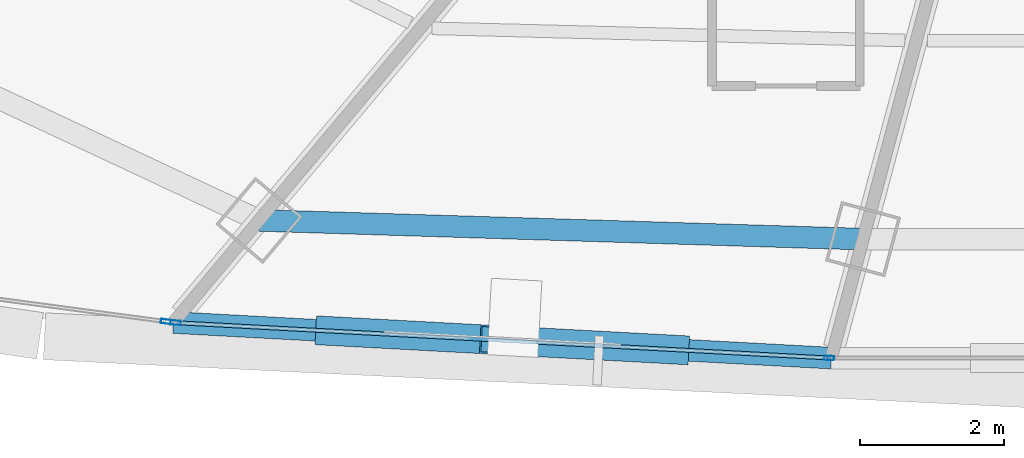
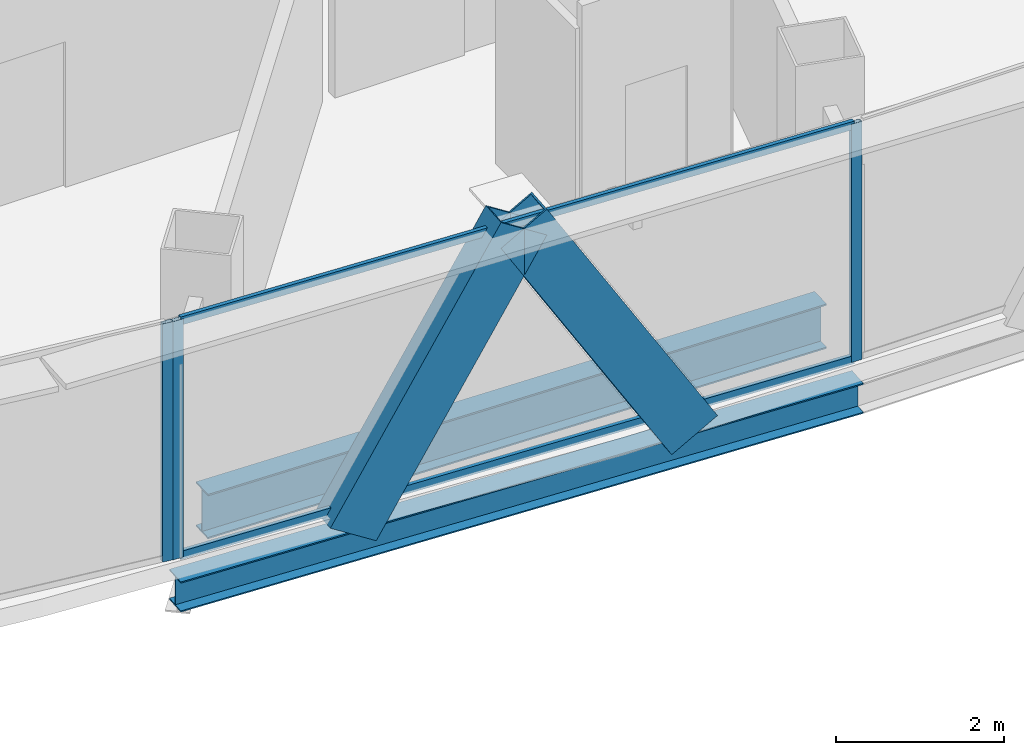
# One storey, part 6 of 37: 7 members, 2 beams, 2 elements without a shape of their own.
"""IFC4 building model written with IfcOpenShell, lengths in metres."""

from ifc_helpers import new_model, si_unit, direction, frame, origin, origin_2d, place, context, subcontext, project, spatial, hollow_rectangle, i_section, extrude, source, transform, mapped, material, layer, layer_set, material_profile, profile_set, type_object, element, aggregate, save


model = new_model("IFC4")

# Units and contexts
model_context = context("Model", 3, precision=1e-05, world=origin(), true_north=direction((0.0, 1.0)))
body_context = subcontext(model_context, "Body", "Model", "MODEL_VIEW")
ifc_project = project(units=[si_unit("LENGTHUNIT", "METRE"), si_unit("AREAUNIT", "SQUARE_METRE"), si_unit("VOLUMEUNIT", "CUBIC_METRE"), si_unit("PLANEANGLEUNIT", "RADIAN"), si_unit("MASSUNIT", "GRAM", prefix="KILO"), si_unit("THERMODYNAMICTEMPERATUREUNIT", "KELVIN"), si_unit("POWERUNIT", "WATT")], contexts=[model_context])

# Site, building, storey
site_placement = place(None, origin())
site = spatial("IfcSite", under=ifc_project, at=site_placement, CompositionType="ELEMENT")
building_placement = place(site_placement, origin())
building = spatial("IfcBuilding", under=site, at=building_placement, Name="Yunzhuo Pagoda Commons", CompositionType="ELEMENT")
storey_placement = place(building_placement, frame((0.0, 0.0, 259.449951171875)))
storey = spatial("IfcBuildingStorey", under=building, at=storey_placement, Name="L65", CompositionType="ELEMENT", Elevation=259.449951171875)

# Beams
ifc_material_1 = material(Name="Structural steel Q355B", Category="steel")
ifc_material_profile_1 = material_profile(ifc_material_1, i_section(OverallWidth=0.300048828125, OverallDepth=0.64990234375, WebThickness=0.012939453125, FlangeThickness=0.02197265625, at=origin_2d()), Name="Structural steel Q355B")
ifc_profile_set_1 = profile_set([ifc_material_profile_1], Name="Structural steel Q355B")
beam_type_1 = type_object("IfcBeamType", Name="B-RG2 Beam HN 650x300x13x22", PredefinedType="BEAM", material=ifc_profile_set_1)
shared_shape_1 = source(origin(), body_context, "Body", "SweptSolid", [
    extrude(i_section(OverallWidth=0.300048828125, OverallDepth=0.64990234375, WebThickness=0.012939453125, FlangeThickness=0.02197265625, at=origin_2d()), origin(), (0.0, 0.0, 1.0), 8.37939453125),
])
beam_1_placement = place(storey_placement, frame((35.593017578125, 18.913818359375, -0.5849609375), z_axis=(0.999519382133, -0.031000076447, 0.0), x_axis=(0.031000076447, 0.999519382133, 0.0)))
element("IfcBeam", 1, at=beam_1_placement, inside=storey, type_object=beam_type_1, Name="L65 column-ring beam 1", PredefinedType="BEAM", context=body_context, shape_type="MappedRepresentation", body=[
    mapped(shared_shape_1, transform((0.0, 0.0, 0.0), scale=1.0)),
])
ifc_material_profile_2 = material_profile(ifc_material_1, i_section(OverallWidth=0.300048828125, OverallDepth=0.43994140625, WebThickness=0.010986328125, FlangeThickness=0.01806640625, at=origin_2d()), Name="Structural steel Q355B")
ifc_profile_set_2 = profile_set([ifc_material_profile_2], Name="Structural steel Q355B")
beam_type_2 = type_object("IfcBeamType", Name="B-SP2 Beam HM 440x300x11x18", PredefinedType="BEAM", material=ifc_profile_set_2)
shared_shape_2 = source(origin(), body_context, "Body", "SweptSolid", [
    extrude(i_section(OverallWidth=0.300048828125, OverallDepth=0.43994140625, WebThickness=0.010986328125, FlangeThickness=0.01806640625, at=origin_2d()), origin(), (0.0, 0.0, 1.0), 9.13525390625),
])
beam_2_placement = place(storey_placement, frame((34.404541015625, 17.49755859375, -0.47998046875), z_axis=(0.99854316853, -0.053958693286, 0.0), x_axis=(0.053958693286, 0.99854316853, 0.0)))
element("IfcBeam", 2, at=beam_2_placement, inside=storey, type_object=beam_type_2, Name="L65 facade edge spandrel beam F1.1", PredefinedType="BEAM", context=body_context, shape_type="MappedRepresentation", body=[
    mapped(shared_shape_2, transform((0.0, 0.0, 0.0), scale=1.0)),
])

# Members
ifc_material_profile_3 = material_profile(ifc_material_1, hollow_rectangle(XDim=0.39990234375, YDim=0.719970703125, WallThickness=0.02392578125, at=origin_2d()), Name="Structural steel Q355B")
ifc_profile_set_3 = profile_set([ifc_material_profile_3], Name="Structural steel Q355B")
member_type_1 = type_object("IfcMemberType", Name="M-DL2 Brace BOX 720x400x24", PredefinedType="BRACE", material=ifc_profile_set_3)
shared_shape_3 = source(origin(), body_context, "Body", "SweptSolid", [
    extrude(hollow_rectangle(XDim=0.39990234375, YDim=0.719970703125, WallThickness=0.02392578125, at=origin_2d()), origin(), (0.0, 0.0, 1.0), 4.37353515625),
])
for number, where, z_axis, x_axis, name in (
    (3, (36.68505859375, 17.374267578125, -0.260009765625), (0.521423404962, -0.028189574939, 0.852832328552), (0.053983900233, 0.998541806093, 0.0), "L65 facade diamond brace F1.1L"),
    (4, (41.245849609375, 17.1279296875, -0.260009765625), (-0.521383578645, 0.028134617092, 0.85285849192), (-0.053883063731, -0.998547252484, 0.0), "L65 facade diamond brace F1.1R"),
):
    element("IfcMember", number, at=place(storey_placement, frame(where, z_axis=z_axis, x_axis=x_axis)), inside=storey, type_object=member_type_1, Name=name, PredefinedType="BRACE", context=body_context, shape_type="MappedRepresentation", body=[
        mapped(shared_shape_3, transform((0.0, 0.0, 0.0), scale=1.0)),
    ])

# Curtain wall, members
ifc_material_2 = material(Name="Anodized aluminium 6063-T6", Category="aluminium")
ifc_layer = layer(ifc_material_2, 0.139892578125)
ifc_layer_set = layer_set([ifc_layer], Name="Anodized aluminium 6063-T6")
curtain_wall_type = type_object("IfcCurtainWallType", Name="CW-HI High-Zone Ribbon Curtain Wall", PredefinedType="NOTDEFINED", material=ifc_layer_set)
curtain_wall_1_placement = place(storey_placement, origin())
curtain_wall_1 = element("IfcCurtainWall", 5, at=curtain_wall_1_placement, inside=storey, type_object=curtain_wall_type, Name="L65 curtain wall CW-L65-F1B2", PredefinedType="NOTDEFINED")
ifc_material_profile_4 = material_profile(ifc_material_2, hollow_rectangle(XDim=0.06005859375, YDim=0.139892578125, WallThickness=0.00341796875, at=origin_2d()), Name="Anodized aluminium 6063-T6")
ifc_profile_set_4 = profile_set([ifc_material_profile_4], Name="Anodized aluminium 6063-T6")
member_type_2 = type_object("IfcMemberType", Name="CW-HI-M Mullion RHS 140x60x3.5", PredefinedType="MULLION", material=ifc_profile_set_4)
shared_shape_4 = source(origin(), body_context, "Body", "SweptSolid", [
    extrude(hollow_rectangle(XDim=0.06005859375, YDim=0.139892578125, WallThickness=0.00341796875, at=origin_2d()), origin(), (0.0, 0.0, 1.0), 3.469970703125),
])
member_1_placement = place(storey_placement, frame((34.4345703125, 17.495849609375, 0.0), z_axis=(0.0, 0.0, 1.0), x_axis=(0.053988827702, 0.998541539688, 0.0)))
member_1 = element("IfcMember", 6, at=member_1_placement, type_object=member_type_2, Name="CW mullion 1", PredefinedType="MULLION", context=body_context, shape_type="MappedRepresentation", body=[
    mapped(shared_shape_4, transform((0.0, 0.0, 0.0), scale=1.0)),
])
member_2_placement = place(storey_placement, frame((43.496337890625, 17.005859375, 0.0), z_axis=(0.0, 0.0, 1.0), x_axis=(0.053988827702, 0.998541539688, 0.0)))
member_2 = element("IfcMember", 7, at=member_2_placement, type_object=member_type_2, Name="CW mullion 2", PredefinedType="MULLION", context=body_context, shape_type="MappedRepresentation", body=[
    mapped(shared_shape_4, transform((0.0, 0.0, 0.0), scale=1.0)),
])

# Curtain wall, member
curtain_wall_2_placement = place(storey_placement, origin())
curtain_wall_2 = element("IfcCurtainWall", 8, at=curtain_wall_2_placement, inside=storey, type_object=curtain_wall_type, Name="L65 curtain wall CW-L65-F1B1", PredefinedType="NOTDEFINED")
member_3_placement = place(storey_placement, frame((34.300537109375, 17.511474609375, 0.0), z_axis=(0.0, 0.0, 1.0), x_axis=(0.132663916926, 0.991161079314, 0.0)))
member_3 = element("IfcMember", 9, at=member_3_placement, type_object=member_type_2, Name="CW mullion 2", PredefinedType="MULLION", context=body_context, shape_type="MappedRepresentation", body=[
    mapped(shared_shape_4, transform((0.0, 0.0, 0.0), scale=1.0)),
])
aggregate(curtain_wall_2, [member_3])

# Member
ifc_material_profile_5 = material_profile(ifc_material_2, hollow_rectangle(XDim=0.054931640625, YDim=0.1201171875, WallThickness=0.00341796875, at=origin_2d()), Name="Anodized aluminium 6063-T6")
ifc_profile_set_5 = profile_set([ifc_material_profile_5], Name="Anodized aluminium 6063-T6")
member_type_3 = type_object("IfcMemberType", Name="CW-HI-T Transom RHS 120x55x3.5", PredefinedType="USERDEFINED", material=ifc_profile_set_5)
shared_shape_5 = source(origin(), body_context, "Body", "SweptSolid", [
    extrude(hollow_rectangle(XDim=0.054931640625, YDim=0.1201171875, WallThickness=0.00341796875, at=origin_2d()), origin(), (0.0, 0.0, 1.0), 9.01513671875),
])
member_4_placement = place(storey_placement, frame((34.464599609375, 17.494140625, 0.027587890625), z_axis=(0.99854239162, -0.053973068629, 0.0), x_axis=(0.053973068629, 0.99854239162, 0.0)))
member_4 = element("IfcMember", 10, at=member_4_placement, type_object=member_type_3, Name="CW transom 1.1", ObjectType="TRANSOM", PredefinedType="USERDEFINED", context=body_context, shape_type="MappedRepresentation", body=[
    mapped(shared_shape_5, transform((0.0, 0.0, 0.0), scale=1.0)),
])

member_5_placement = place(storey_placement, frame((34.464599609375, 17.494140625, 3.442626953125), z_axis=(0.99854239162, -0.053973068629, 0.0), x_axis=(0.053973068629, 0.99854239162, 0.0)))
member_5 = element("IfcMember", 11, at=member_5_placement, type_object=member_type_3, Name="CW transom 1.2", ObjectType="TRANSOM", PredefinedType="USERDEFINED", context=body_context, shape_type="MappedRepresentation", body=[
    mapped(shared_shape_5, transform((0.0, 0.0, 0.0), scale=1.0)),
])

aggregate(curtain_wall_1, [member_1, member_2, member_4, member_5])

save(model, "model.ifc")
